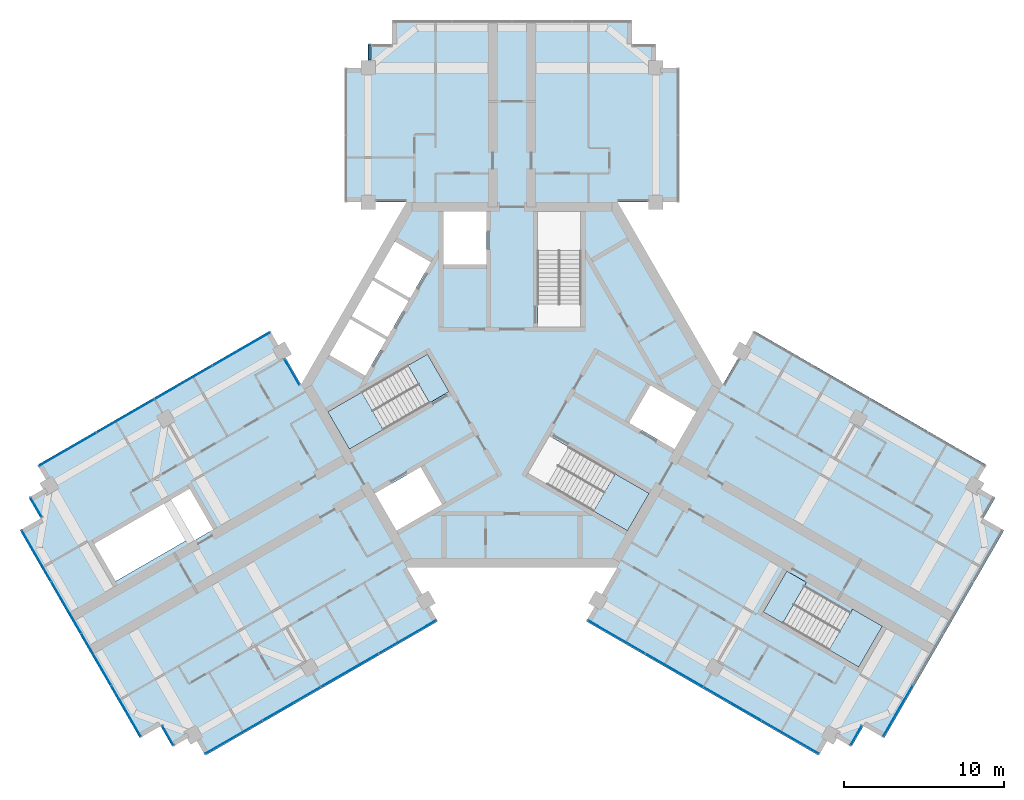
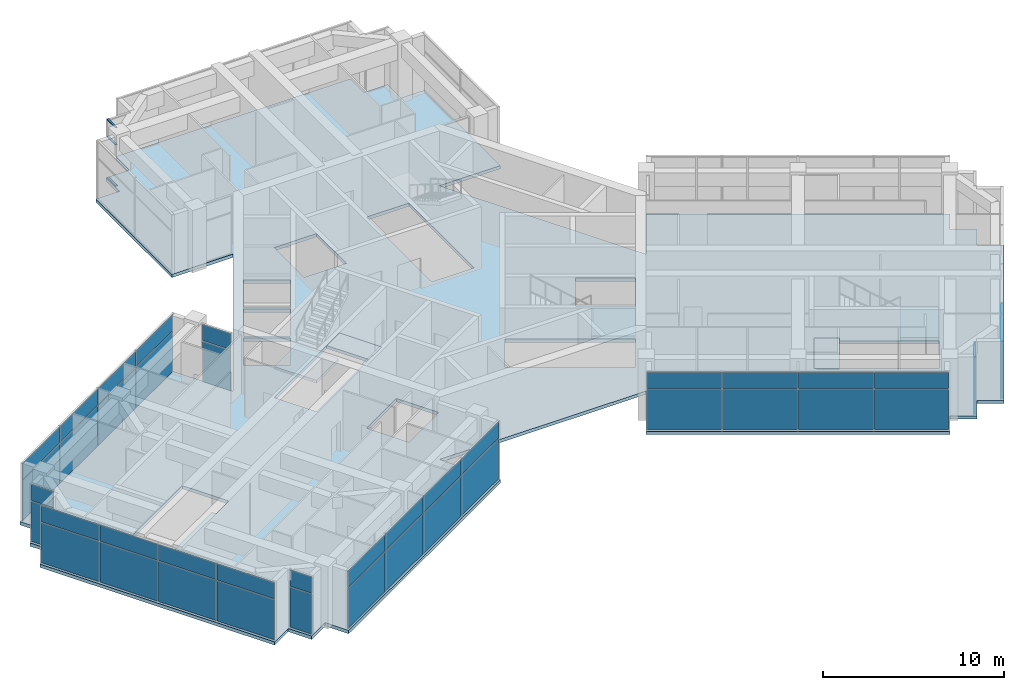
# One storey, part 7 of 14: 42 plates, 6 slabs, 3 members, 13 elements without a shape of their own.
"""IFC4 building model written with IfcOpenShell, lengths in metres."""

from ifc_helpers import new_model, si_unit, direction, frame, origin, origin_2d, place, context, subcontext, project, spatial, polyline, rectangle, outline, extrude, material, layer, layer_set, material_profile, profile_set, type_object, element, aggregate, save


model = new_model("IFC4")

# Units and contexts
model_context = context("Model", 3, precision=1e-05, world=origin(), true_north=direction((0.0, 1.0)))
body_context = subcontext(model_context, "Body", "Model", "MODEL_VIEW")
ifc_project = project(units=[si_unit("LENGTHUNIT", "METRE"), si_unit("AREAUNIT", "SQUARE_METRE"), si_unit("VOLUMEUNIT", "CUBIC_METRE"), si_unit("PLANEANGLEUNIT", "RADIAN"), si_unit("MASSUNIT", "GRAM", prefix="KILO")], contexts=[model_context])

# Site, building, storey
site_placement = place(None, origin())
site = spatial("IfcSite", under=ifc_project, at=site_placement, CompositionType="ELEMENT")
building_placement = place(site_placement, origin())
building = spatial("IfcBuilding", under=site, at=building_placement, Name="Impinga Residences", CompositionType="ELEMENT")
storey_placement = place(building_placement, frame((0.0, 0.0, 278.949951171875)))
storey = spatial("IfcBuildingStorey", under=building, at=storey_placement, Name="L70", CompositionType="ELEMENT", Elevation=278.949951171875)

# Curtain wall, members
ifc_material_1 = material(Name="Aluminium stick curtain wall", Category="aluminium")
curtain_wall_type = type_object("IfcCurtainWallType", Name="CW3 penthouse curtain wall", PredefinedType="USERDEFINED", material=ifc_material_1)
curtain_wall_1_placement = place(storey_placement, origin())
curtain_wall_1 = element("IfcCurtainWall", 1, at=curtain_wall_1_placement, inside=storey, type_object=curtain_wall_type, Name="Curtain wall CW3 L70", ObjectType="STICK CURTAIN WALL", PredefinedType="USERDEFINED")
ifc_material_2 = material(Name="Aluminium transom", Category="aluminium")
ifc_material_profile = material_profile(ifc_material_2, rectangle(XDim=0.06005859375, YDim=0.1201171875, at=origin_2d()), Name="60x120 transom")
ifc_profile_set = profile_set([ifc_material_profile], Name="Aluminium transom")
member_type = type_object("IfcMemberType", Name="CW3-T transom 60x120", PredefinedType="USERDEFINED", material=ifc_profile_set)
member_1_placement = place(storey_placement, frame((-8.89990234375, 20.344482421875, 0.030029296875), z_axis=(0.0, 1.0, 0.0), x_axis=(0.0, 0.0, 1.0)))
member_1 = element("IfcMember", 2, at=member_1_placement, type_object=member_type, Name="CW3 transom 1.1", ObjectType="TRANSOM", PredefinedType="USERDEFINED", context=body_context, shape_type="SweptSolid", body=[
    extrude(rectangle(XDim=0.06005859375, YDim=0.1201171875, at=origin_2d()), origin(), (0.0, 0.0, 1.0), 0.927001953125),
])
member_2_placement = place(storey_placement, frame((-8.89990234375, 20.344482421875, 2.800048828125), z_axis=(0.0, 1.0, 0.0), x_axis=(0.0, 0.0, 1.0)))
member_2 = element("IfcMember", 3, at=member_2_placement, type_object=member_type, Name="CW3 transom 1.2", ObjectType="TRANSOM", PredefinedType="USERDEFINED", context=body_context, shape_type="SweptSolid", body=[
    extrude(rectangle(XDim=0.06005859375, YDim=0.1201171875, at=origin_2d()), origin(), (0.0, 0.0, 1.0), 0.927001953125),
])
member_3_placement = place(storey_placement, frame((-8.89990234375, 20.344482421875, 3.949951171875), z_axis=(0.0, 1.0, 0.0), x_axis=(0.0, 0.0, 1.0)))
member_3 = element("IfcMember", 4, at=member_3_placement, type_object=member_type, Name="CW3 transom 1.3", ObjectType="TRANSOM", PredefinedType="USERDEFINED", context=body_context, shape_type="SweptSolid", body=[
    extrude(rectangle(XDim=0.06005859375, YDim=0.1201171875, at=origin_2d()), origin(), (0.0, 0.0, 1.0), 0.927001953125),
])
aggregate(curtain_wall_1, [member_1, member_2, member_3])

# Curtain wall, plates
curtain_wall_2_placement = place(storey_placement, origin())
curtain_wall_2 = element("IfcCurtainWall", 5, at=curtain_wall_2_placement, inside=storey, type_object=curtain_wall_type, Name="Curtain wall CW3 L70", ObjectType="STICK CURTAIN WALL", PredefinedType="USERDEFINED")
ifc_material_3 = material(Name="Clear double glazing", Category="glass")
ifc_layer_1 = layer(ifc_material_3, 0.028076171875)
ifc_layer_set_1 = layer_set([ifc_layer_1], Name="CW3-P clear double glazed panel 28")
plate_type = type_object("IfcPlateType", Name="CW3-P clear double glazed panel 28", PredefinedType="CURTAIN_PANEL", material=ifc_layer_set_1)
plate_1_placement = place(storey_placement, frame((-21.53662109375, -21.96044921875, 0.06005859375), z_axis=(0.0, 0.0, 1.0), x_axis=(-0.500000030502, 0.866025386174, 0.0)))
plate_1 = element("IfcPlate", 6, at=plate_1_placement, type_object=plate_type, Name="CW3 panel 1.1", PredefinedType="CURTAIN_PANEL", context=body_context, shape_type="SweptSolid", body=[
    extrude(rectangle(XDim=1.3798828125, YDim=0.028076171875, at=origin_2d()), origin(), (0.0, 0.0, 1.0), 2.7099609375),
])
plate_2_placement = place(storey_placement, frame((-21.53662109375, -21.96044921875, 2.830078125), z_axis=(0.0, 0.0, 1.0), x_axis=(-0.500000030502, 0.866025386174, 0.0)))
plate_2 = element("IfcPlate", 7, at=plate_2_placement, type_object=plate_type, Name="CW3 panel 1.2", PredefinedType="CURTAIN_PANEL", context=body_context, shape_type="SweptSolid", body=[
    extrude(rectangle(XDim=1.3798828125, YDim=0.028076171875, at=origin_2d()), origin(), (0.0, 0.0, 1.0), 1.090087890625),
])
aggregate(curtain_wall_2, [plate_1, plate_2])

curtain_wall_3_placement = place(storey_placement, origin())
curtain_wall_3 = element("IfcCurtainWall", 8, at=curtain_wall_3_placement, inside=storey, type_object=curtain_wall_type, Name="Curtain wall CW3 L70", ObjectType="STICK CURTAIN WALL", PredefinedType="USERDEFINED")
plate_3_placement = place(storey_placement, frame((-24.15576171875, -20.424072265625, 0.06005859375), z_axis=(0.0, 0.0, 1.0), x_axis=(-0.500000001632, 0.866025402842, 0.0)))
plate_3 = element("IfcPlate", 9, at=plate_3_placement, type_object=plate_type, Name="CW3 panel 1.1", PredefinedType="CURTAIN_PANEL", context=body_context, shape_type="SweptSolid", body=[
    extrude(rectangle(XDim=3.659912109375, YDim=0.028076171875, at=origin_2d()), origin(), (0.0, 0.0, 1.0), 2.7099609375),
])
plate_4_placement = place(storey_placement, frame((-24.15576171875, -20.424072265625, 2.830078125), z_axis=(0.0, 0.0, 1.0), x_axis=(-0.500000001632, 0.866025402842, 0.0)))
plate_4 = element("IfcPlate", 10, at=plate_4_placement, type_object=plate_type, Name="CW3 panel 1.2", PredefinedType="CURTAIN_PANEL", context=body_context, shape_type="SweptSolid", body=[
    extrude(rectangle(XDim=3.659912109375, YDim=0.028076171875, at=origin_2d()), origin(), (0.0, 0.0, 1.0), 1.090087890625),
])
plate_5_placement = place(storey_placement, frame((-26.023193359375, -17.189453125, 0.06005859375), z_axis=(0.0, 0.0, 1.0), x_axis=(-0.500000001632, 0.866025402842, 0.0)))
plate_5 = element("IfcPlate", 11, at=plate_5_placement, type_object=plate_type, Name="CW3 panel 2.1", PredefinedType="CURTAIN_PANEL", context=body_context, shape_type="SweptSolid", body=[
    extrude(rectangle(XDim=3.68994140625, YDim=0.028076171875, at=origin_2d()), origin(), (0.0, 0.0, 1.0), 2.7099609375),
])
plate_6_placement = place(storey_placement, frame((-26.023193359375, -17.189453125, 2.830078125), z_axis=(0.0, 0.0, 1.0), x_axis=(-0.500000001632, 0.866025402842, 0.0)))
plate_6 = element("IfcPlate", 12, at=plate_6_placement, type_object=plate_type, Name="CW3 panel 2.2", PredefinedType="CURTAIN_PANEL", context=body_context, shape_type="SweptSolid", body=[
    extrude(rectangle(XDim=3.68994140625, YDim=0.028076171875, at=origin_2d()), origin(), (0.0, 0.0, 1.0), 1.090087890625),
])
plate_7_placement = place(storey_placement, frame((-27.898193359375, -13.94189453125, 0.06005859375), z_axis=(0.0, 0.0, 1.0), x_axis=(-0.500000001632, 0.866025402842, 0.0)))
plate_7 = element("IfcPlate", 13, at=plate_7_placement, type_object=plate_type, Name="CW3 panel 3.1", PredefinedType="CURTAIN_PANEL", context=body_context, shape_type="SweptSolid", body=[
    extrude(rectangle(XDim=3.68994140625, YDim=0.028076171875, at=origin_2d()), origin(), (0.0, 0.0, 1.0), 2.7099609375),
])
plate_8_placement = place(storey_placement, frame((-27.898193359375, -13.94189453125, 2.830078125), z_axis=(0.0, 0.0, 1.0), x_axis=(-0.500000001632, 0.866025402842, 0.0)))
plate_8 = element("IfcPlate", 14, at=plate_8_placement, type_object=plate_type, Name="CW3 panel 3.2", PredefinedType="CURTAIN_PANEL", context=body_context, shape_type="SweptSolid", body=[
    extrude(rectangle(XDim=3.68994140625, YDim=0.028076171875, at=origin_2d()), origin(), (0.0, 0.0, 1.0), 1.090087890625),
])
plate_9_placement = place(storey_placement, frame((-29.765625, -10.707275390625, 0.06005859375), z_axis=(0.0, 0.0, 1.0), x_axis=(-0.500000001632, 0.866025402842, 0.0)))
plate_9 = element("IfcPlate", 15, at=plate_9_placement, type_object=plate_type, Name="CW3 panel 4.1", PredefinedType="CURTAIN_PANEL", context=body_context, shape_type="SweptSolid", body=[
    extrude(rectangle(XDim=3.659912109375, YDim=0.028076171875, at=origin_2d()), origin(), (0.0, 0.0, 1.0), 2.7099609375),
])
plate_10_placement = place(storey_placement, frame((-29.765625, -10.707275390625, 2.830078125), z_axis=(0.0, 0.0, 1.0), x_axis=(-0.500000001632, 0.866025402842, 0.0)))
plate_10 = element("IfcPlate", 16, at=plate_10_placement, type_object=plate_type, Name="CW3 panel 4.2", PredefinedType="CURTAIN_PANEL", context=body_context, shape_type="SweptSolid", body=[
    extrude(rectangle(XDim=3.659912109375, YDim=0.028076171875, at=origin_2d()), origin(), (0.0, 0.0, 1.0), 1.090087890625),
])
aggregate(curtain_wall_3, [plate_3, plate_4, plate_5, plate_6, plate_7, plate_8, plate_9, plate_10])

curtain_wall_4_placement = place(storey_placement, origin())
curtain_wall_4 = element("IfcCurtainWall", 17, at=curtain_wall_4_placement, inside=storey, type_object=curtain_wall_type, Name="Curtain wall CW3 L70", ObjectType="STICK CURTAIN WALL", PredefinedType="USERDEFINED")
plate_11_placement = place(storey_placement, frame((-29.78662109375, -7.671142578125, 0.06005859375), z_axis=(0.0, 0.0, 1.0), x_axis=(-0.500000030502, 0.866025386174, 0.0)))
plate_11 = element("IfcPlate", 18, at=plate_11_placement, type_object=plate_type, Name="CW3 panel 1.1", PredefinedType="CURTAIN_PANEL", context=body_context, shape_type="SweptSolid", body=[
    extrude(rectangle(XDim=1.3798828125, YDim=0.028076171875, at=origin_2d()), origin(), (0.0, 0.0, 1.0), 2.7099609375),
])
plate_12_placement = place(storey_placement, frame((-29.78662109375, -7.671142578125, 2.830078125), z_axis=(0.0, 0.0, 1.0), x_axis=(-0.500000030502, 0.866025386174, 0.0)))
plate_12 = element("IfcPlate", 19, at=plate_12_placement, type_object=plate_type, Name="CW3 panel 1.2", PredefinedType="CURTAIN_PANEL", context=body_context, shape_type="SweptSolid", body=[
    extrude(rectangle(XDim=1.3798828125, YDim=0.028076171875, at=origin_2d()), origin(), (0.0, 0.0, 1.0), 1.090087890625),
])
aggregate(curtain_wall_4, [plate_11, plate_12])

curtain_wall_5_placement = place(storey_placement, origin())
curtain_wall_5 = element("IfcCurtainWall", 20, at=curtain_wall_5_placement, inside=storey, type_object=curtain_wall_type, Name="Curtain wall CW3 L70", ObjectType="STICK CURTAIN WALL", PredefinedType="USERDEFINED")
plate_13_placement = place(storey_placement, frame((-27.817626953125, -4.051513671875, 0.06005859375), z_axis=(0.0, 0.0, 1.0), x_axis=(0.866025407005, 0.499999994423, 0.0)))
plate_13 = element("IfcPlate", 21, at=plate_13_placement, type_object=plate_type, Name="CW3 panel 1.1", PredefinedType="CURTAIN_PANEL", context=body_context, shape_type="SweptSolid", body=[
    extrude(rectangle(XDim=4.110107421875, YDim=0.028076171875, at=origin_2d()), origin(), (0.0, 0.0, 1.0), 2.7099609375),
])
plate_14_placement = place(storey_placement, frame((-27.817626953125, -4.051513671875, 2.830078125), z_axis=(0.0, 0.0, 1.0), x_axis=(0.866025407005, 0.499999994423, 0.0)))
plate_14 = element("IfcPlate", 22, at=plate_14_placement, type_object=plate_type, Name="CW3 panel 1.2", PredefinedType="CURTAIN_PANEL", context=body_context, shape_type="SweptSolid", body=[
    extrude(rectangle(XDim=4.110107421875, YDim=0.028076171875, at=origin_2d()), origin(), (0.0, 0.0, 1.0), 1.090087890625),
])
plate_15_placement = place(storey_placement, frame((-24.193359375, -1.958984375, 0.06005859375), z_axis=(0.0, 0.0, 1.0), x_axis=(0.866025407005, 0.499999994423, 0.0)))
plate_15 = element("IfcPlate", 23, at=plate_15_placement, type_object=plate_type, Name="CW3 panel 2.1", PredefinedType="CURTAIN_PANEL", context=body_context, shape_type="SweptSolid", body=[
    extrude(rectangle(XDim=4.139892578125, YDim=0.028076171875, at=origin_2d()), origin(), (0.0, 0.0, 1.0), 2.7099609375),
])
plate_16_placement = place(storey_placement, frame((-24.193359375, -1.958984375, 2.830078125), z_axis=(0.0, 0.0, 1.0), x_axis=(0.866025407005, 0.499999994423, 0.0)))
plate_16 = element("IfcPlate", 24, at=plate_16_placement, type_object=plate_type, Name="CW3 panel 2.2", PredefinedType="CURTAIN_PANEL", context=body_context, shape_type="SweptSolid", body=[
    extrude(rectangle(XDim=4.139892578125, YDim=0.028076171875, at=origin_2d()), origin(), (0.0, 0.0, 1.0), 1.090087890625),
])
plate_17_placement = place(storey_placement, frame((-20.555908203125, 0.140869140625, 0.06005859375), z_axis=(0.0, 0.0, 1.0), x_axis=(0.866025407005, 0.499999994423, 0.0)))
plate_17 = element("IfcPlate", 25, at=plate_17_placement, type_object=plate_type, Name="CW3 panel 3.1", PredefinedType="CURTAIN_PANEL", context=body_context, shape_type="SweptSolid", body=[
    extrude(rectangle(XDim=4.139892578125, YDim=0.028076171875, at=origin_2d()), origin(), (0.0, 0.0, 1.0), 2.7099609375),
])
plate_18_placement = place(storey_placement, frame((-20.555908203125, 0.140869140625, 2.830078125), z_axis=(0.0, 0.0, 1.0), x_axis=(0.866025407005, 0.499999994423, 0.0)))
plate_18 = element("IfcPlate", 26, at=plate_18_placement, type_object=plate_type, Name="CW3 panel 3.2", PredefinedType="CURTAIN_PANEL", context=body_context, shape_type="SweptSolid", body=[
    extrude(rectangle(XDim=4.139892578125, YDim=0.028076171875, at=origin_2d()), origin(), (0.0, 0.0, 1.0), 1.090087890625),
])
plate_19_placement = place(storey_placement, frame((-16.931640625, 2.2333984375, 0.06005859375), z_axis=(0.0, 0.0, 1.0), x_axis=(0.866025407005, 0.499999994423, 0.0)))
plate_19 = element("IfcPlate", 27, at=plate_19_placement, type_object=plate_type, Name="CW3 panel 4.1", PredefinedType="CURTAIN_PANEL", context=body_context, shape_type="SweptSolid", body=[
    extrude(rectangle(XDim=4.110107421875, YDim=0.028076171875, at=origin_2d()), origin(), (0.0, 0.0, 1.0), 2.7099609375),
])
plate_20_placement = place(storey_placement, frame((-16.931640625, 2.2333984375, 2.830078125), z_axis=(0.0, 0.0, 1.0), x_axis=(0.866025407005, 0.499999994423, 0.0)))
plate_20 = element("IfcPlate", 28, at=plate_20_placement, type_object=plate_type, Name="CW3 panel 4.2", PredefinedType="CURTAIN_PANEL", context=body_context, shape_type="SweptSolid", body=[
    extrude(rectangle(XDim=4.110107421875, YDim=0.028076171875, at=origin_2d()), origin(), (0.0, 0.0, 1.0), 1.090087890625),
])
aggregate(curtain_wall_5, [plate_13, plate_14, plate_15, plate_16, plate_17, plate_18, plate_19, plate_20])

curtain_wall_6_placement = place(storey_placement, origin())
curtain_wall_6 = element("IfcCurtainWall", 29, at=curtain_wall_6_placement, inside=storey, type_object=curtain_wall_type, Name="Curtain wall CW3 L70", ObjectType="STICK CURTAIN WALL", PredefinedType="USERDEFINED")
plate_21_placement = place(storey_placement, frame((-13.7734375, 0.79296875, 0.06005859375), z_axis=(0.0, 0.0, 1.0), x_axis=(0.50000010257, -0.866025344565, 0.0)))
plate_21 = element("IfcPlate", 30, at=plate_21_placement, type_object=plate_type, Name="CW3 panel 1.1", PredefinedType="CURTAIN_PANEL", context=body_context, shape_type="SweptSolid", body=[
    extrude(rectangle(XDim=1.826904296875, YDim=0.028076171875, at=origin_2d()), origin(), (0.0, 0.0, 1.0), 2.7099609375),
])
plate_22_placement = place(storey_placement, frame((-13.7734375, 0.79296875, 2.830078125), z_axis=(0.0, 0.0, 1.0), x_axis=(0.50000010257, -0.866025344565, 0.0)))
plate_22 = element("IfcPlate", 31, at=plate_22_placement, type_object=plate_type, Name="CW3 panel 1.2", PredefinedType="CURTAIN_PANEL", context=body_context, shape_type="SweptSolid", body=[
    extrude(rectangle(XDim=1.826904296875, YDim=0.028076171875, at=origin_2d()), origin(), (0.0, 0.0, 1.0), 1.090087890625),
])
aggregate(curtain_wall_6, [plate_21, plate_22])

curtain_wall_7_placement = place(storey_placement, origin())
curtain_wall_7 = element("IfcCurtainWall", 32, at=curtain_wall_7_placement, inside=storey, type_object=curtain_wall_type, Name="Curtain wall CW3 L70", ObjectType="STICK CURTAIN WALL", PredefinedType="USERDEFINED")
plate_23_placement = place(storey_placement, frame((24.15576171875, -20.424072265625, 0.06005859375), z_axis=(0.0, 0.0, 1.0), x_axis=(-0.500000001632, -0.866025402842, 0.0)))
plate_23 = element("IfcPlate", 33, at=plate_23_placement, type_object=plate_type, Name="CW3 panel 4.1", PredefinedType="CURTAIN_PANEL", context=body_context, shape_type="SweptSolid", body=[
    extrude(rectangle(XDim=3.659912109375, YDim=0.028076171875, at=origin_2d()), origin(), (0.0, 0.0, 1.0), 2.7099609375),
])
plate_24_placement = place(storey_placement, frame((24.15576171875, -20.424072265625, 2.830078125), z_axis=(0.0, 0.0, 1.0), x_axis=(-0.500000001632, -0.866025402842, 0.0)))
plate_24 = element("IfcPlate", 34, at=plate_24_placement, type_object=plate_type, Name="CW3 panel 4.2", PredefinedType="CURTAIN_PANEL", context=body_context, shape_type="SweptSolid", body=[
    extrude(rectangle(XDim=3.659912109375, YDim=0.028076171875, at=origin_2d()), origin(), (0.0, 0.0, 1.0), 1.090087890625),
])
aggregate(curtain_wall_7, [plate_23, plate_24])

curtain_wall_8_placement = place(storey_placement, origin())
curtain_wall_8 = element("IfcCurtainWall", 35, at=curtain_wall_8_placement, inside=storey, type_object=curtain_wall_type, Name="Curtain wall CW3 L70", ObjectType="STICK CURTAIN WALL", PredefinedType="USERDEFINED")
plate_25_placement = place(storey_placement, frame((21.53662109375, -21.96044921875, 0.06005859375), z_axis=(0.0, 0.0, 1.0), x_axis=(-0.500000030502, -0.866025386174, 0.0)))
plate_25 = element("IfcPlate", 36, at=plate_25_placement, type_object=plate_type, Name="CW3 panel 1.1", PredefinedType="CURTAIN_PANEL", context=body_context, shape_type="SweptSolid", body=[
    extrude(rectangle(XDim=1.3798828125, YDim=0.028076171875, at=origin_2d()), origin(), (0.0, 0.0, 1.0), 2.7099609375),
])
plate_26_placement = place(storey_placement, frame((21.53662109375, -21.96044921875, 2.830078125), z_axis=(0.0, 0.0, 1.0), x_axis=(-0.500000030502, -0.866025386174, 0.0)))
plate_26 = element("IfcPlate", 37, at=plate_26_placement, type_object=plate_type, Name="CW3 panel 1.2", PredefinedType="CURTAIN_PANEL", context=body_context, shape_type="SweptSolid", body=[
    extrude(rectangle(XDim=1.3798828125, YDim=0.028076171875, at=origin_2d()), origin(), (0.0, 0.0, 1.0), 1.090087890625),
])
aggregate(curtain_wall_8, [plate_25, plate_26])

curtain_wall_9_placement = place(storey_placement, origin())
curtain_wall_9 = element("IfcCurtainWall", 38, at=curtain_wall_9_placement, inside=storey, type_object=curtain_wall_type, Name="Curtain wall CW3 L70", ObjectType="STICK CURTAIN WALL", PredefinedType="USERDEFINED")
plate_27_placement = place(storey_placement, frame((17.41748046875, -22.06494140625, 0.06005859375), z_axis=(0.0, 0.0, 1.0), x_axis=(-0.866025407005, 0.499999994423, 0.0)))
plate_27 = element("IfcPlate", 39, at=plate_27_placement, type_object=plate_type, Name="CW3 panel 1.1", PredefinedType="CURTAIN_PANEL", context=body_context, shape_type="SweptSolid", body=[
    extrude(rectangle(XDim=4.110107421875, YDim=0.028076171875, at=origin_2d()), origin(), (0.0, 0.0, 1.0), 2.7099609375),
])
plate_28_placement = place(storey_placement, frame((17.41748046875, -22.06494140625, 2.830078125), z_axis=(0.0, 0.0, 1.0), x_axis=(-0.866025407005, 0.499999994423, 0.0)))
plate_28 = element("IfcPlate", 40, at=plate_28_placement, type_object=plate_type, Name="CW3 panel 1.2", PredefinedType="CURTAIN_PANEL", context=body_context, shape_type="SweptSolid", body=[
    extrude(rectangle(XDim=4.110107421875, YDim=0.028076171875, at=origin_2d()), origin(), (0.0, 0.0, 1.0), 1.090087890625),
])
plate_29_placement = place(storey_placement, frame((13.793212890625, -19.972412109375, 0.06005859375), z_axis=(0.0, 0.0, 1.0), x_axis=(-0.866025407005, 0.499999994423, 0.0)))
plate_29 = element("IfcPlate", 41, at=plate_29_placement, type_object=plate_type, Name="CW3 panel 2.1", PredefinedType="CURTAIN_PANEL", context=body_context, shape_type="SweptSolid", body=[
    extrude(rectangle(XDim=4.139892578125, YDim=0.028076171875, at=origin_2d()), origin(), (0.0, 0.0, 1.0), 2.7099609375),
])
plate_30_placement = place(storey_placement, frame((13.793212890625, -19.972412109375, 2.830078125), z_axis=(0.0, 0.0, 1.0), x_axis=(-0.866025407005, 0.499999994423, 0.0)))
plate_30 = element("IfcPlate", 42, at=plate_30_placement, type_object=plate_type, Name="CW3 panel 2.2", PredefinedType="CURTAIN_PANEL", context=body_context, shape_type="SweptSolid", body=[
    extrude(rectangle(XDim=4.139892578125, YDim=0.028076171875, at=origin_2d()), origin(), (0.0, 0.0, 1.0), 1.090087890625),
])
plate_31_placement = place(storey_placement, frame((10.156005859375, -17.872314453125, 0.06005859375), z_axis=(0.0, 0.0, 1.0), x_axis=(-0.866025407005, 0.499999994423, 0.0)))
plate_31 = element("IfcPlate", 43, at=plate_31_placement, type_object=plate_type, Name="CW3 panel 3.1", PredefinedType="CURTAIN_PANEL", context=body_context, shape_type="SweptSolid", body=[
    extrude(rectangle(XDim=4.139892578125, YDim=0.028076171875, at=origin_2d()), origin(), (0.0, 0.0, 1.0), 2.7099609375),
])
plate_32_placement = place(storey_placement, frame((10.156005859375, -17.872314453125, 2.830078125), z_axis=(0.0, 0.0, 1.0), x_axis=(-0.866025407005, 0.499999994423, 0.0)))
plate_32 = element("IfcPlate", 44, at=plate_32_placement, type_object=plate_type, Name="CW3 panel 3.2", PredefinedType="CURTAIN_PANEL", context=body_context, shape_type="SweptSolid", body=[
    extrude(rectangle(XDim=4.139892578125, YDim=0.028076171875, at=origin_2d()), origin(), (0.0, 0.0, 1.0), 1.090087890625),
])
plate_33_placement = place(storey_placement, frame((6.53173828125, -15.780029296875, 0.06005859375), z_axis=(0.0, 0.0, 1.0), x_axis=(-0.866025407005, 0.499999994423, 0.0)))
plate_33 = element("IfcPlate", 45, at=plate_33_placement, type_object=plate_type, Name="CW3 panel 4.1", PredefinedType="CURTAIN_PANEL", context=body_context, shape_type="SweptSolid", body=[
    extrude(rectangle(XDim=4.110107421875, YDim=0.028076171875, at=origin_2d()), origin(), (0.0, 0.0, 1.0), 2.7099609375),
])
plate_34_placement = place(storey_placement, frame((6.53173828125, -15.780029296875, 2.830078125), z_axis=(0.0, 0.0, 1.0), x_axis=(-0.866025407005, 0.499999994423, 0.0)))
plate_34 = element("IfcPlate", 46, at=plate_34_placement, type_object=plate_type, Name="CW3 panel 4.2", PredefinedType="CURTAIN_PANEL", context=body_context, shape_type="SweptSolid", body=[
    extrude(rectangle(XDim=4.110107421875, YDim=0.028076171875, at=origin_2d()), origin(), (0.0, 0.0, 1.0), 1.090087890625),
])
aggregate(curtain_wall_9, [plate_27, plate_28, plate_29, plate_30, plate_31, plate_32, plate_33, plate_34])

curtain_wall_10_placement = place(storey_placement, origin())
curtain_wall_10 = element("IfcCurtainWall", 47, at=curtain_wall_10_placement, inside=storey, type_object=curtain_wall_type, Name="Curtain wall CW3 L70", ObjectType="STICK CURTAIN WALL", PredefinedType="USERDEFINED")
plate_35_placement = place(storey_placement, frame((-6.53173828125, -15.780029296875, 0.06005859375), z_axis=(0.0, 0.0, 1.0), x_axis=(-0.866025407005, -0.499999994423, 0.0)))
plate_35 = element("IfcPlate", 48, at=plate_35_placement, type_object=plate_type, Name="CW3 panel 1.1", PredefinedType="CURTAIN_PANEL", context=body_context, shape_type="SweptSolid", body=[
    extrude(rectangle(XDim=4.110107421875, YDim=0.028076171875, at=origin_2d()), origin(), (0.0, 0.0, 1.0), 2.7099609375),
])
plate_36_placement = place(storey_placement, frame((-6.53173828125, -15.780029296875, 2.830078125), z_axis=(0.0, 0.0, 1.0), x_axis=(-0.866025407005, -0.499999994423, 0.0)))
plate_36 = element("IfcPlate", 49, at=plate_36_placement, type_object=plate_type, Name="CW3 panel 1.2", PredefinedType="CURTAIN_PANEL", context=body_context, shape_type="SweptSolid", body=[
    extrude(rectangle(XDim=4.110107421875, YDim=0.028076171875, at=origin_2d()), origin(), (0.0, 0.0, 1.0), 1.090087890625),
])
plate_37_placement = place(storey_placement, frame((-10.156005859375, -17.872314453125, 0.06005859375), z_axis=(0.0, 0.0, 1.0), x_axis=(-0.866025407005, -0.499999994423, 0.0)))
plate_37 = element("IfcPlate", 50, at=plate_37_placement, type_object=plate_type, Name="CW3 panel 2.1", PredefinedType="CURTAIN_PANEL", context=body_context, shape_type="SweptSolid", body=[
    extrude(rectangle(XDim=4.139892578125, YDim=0.028076171875, at=origin_2d()), origin(), (0.0, 0.0, 1.0), 2.7099609375),
])
plate_38_placement = place(storey_placement, frame((-10.156005859375, -17.872314453125, 2.830078125), z_axis=(0.0, 0.0, 1.0), x_axis=(-0.866025407005, -0.499999994423, 0.0)))
plate_38 = element("IfcPlate", 51, at=plate_38_placement, type_object=plate_type, Name="CW3 panel 2.2", PredefinedType="CURTAIN_PANEL", context=body_context, shape_type="SweptSolid", body=[
    extrude(rectangle(XDim=4.139892578125, YDim=0.028076171875, at=origin_2d()), origin(), (0.0, 0.0, 1.0), 1.090087890625),
])
plate_39_placement = place(storey_placement, frame((-13.793212890625, -19.972412109375, 0.06005859375), z_axis=(0.0, 0.0, 1.0), x_axis=(-0.866025407005, -0.499999994423, 0.0)))
plate_39 = element("IfcPlate", 52, at=plate_39_placement, type_object=plate_type, Name="CW3 panel 3.1", PredefinedType="CURTAIN_PANEL", context=body_context, shape_type="SweptSolid", body=[
    extrude(rectangle(XDim=4.139892578125, YDim=0.028076171875, at=origin_2d()), origin(), (0.0, 0.0, 1.0), 2.7099609375),
])
plate_40_placement = place(storey_placement, frame((-13.793212890625, -19.972412109375, 2.830078125), z_axis=(0.0, 0.0, 1.0), x_axis=(-0.866025407005, -0.499999994423, 0.0)))
plate_40 = element("IfcPlate", 53, at=plate_40_placement, type_object=plate_type, Name="CW3 panel 3.2", PredefinedType="CURTAIN_PANEL", context=body_context, shape_type="SweptSolid", body=[
    extrude(rectangle(XDim=4.139892578125, YDim=0.028076171875, at=origin_2d()), origin(), (0.0, 0.0, 1.0), 1.090087890625),
])
plate_41_placement = place(storey_placement, frame((-17.41748046875, -22.06494140625, 0.06005859375), z_axis=(0.0, 0.0, 1.0), x_axis=(-0.866025407005, -0.499999994423, 0.0)))
plate_41 = element("IfcPlate", 54, at=plate_41_placement, type_object=plate_type, Name="CW3 panel 4.1", PredefinedType="CURTAIN_PANEL", context=body_context, shape_type="SweptSolid", body=[
    extrude(rectangle(XDim=4.110107421875, YDim=0.028076171875, at=origin_2d()), origin(), (0.0, 0.0, 1.0), 2.7099609375),
])
plate_42_placement = place(storey_placement, frame((-17.41748046875, -22.06494140625, 2.830078125), z_axis=(0.0, 0.0, 1.0), x_axis=(-0.866025407005, -0.499999994423, 0.0)))
plate_42 = element("IfcPlate", 55, at=plate_42_placement, type_object=plate_type, Name="CW3 panel 4.2", PredefinedType="CURTAIN_PANEL", context=body_context, shape_type="SweptSolid", body=[
    extrude(rectangle(XDim=4.110107421875, YDim=0.028076171875, at=origin_2d()), origin(), (0.0, 0.0, 1.0), 1.090087890625),
])
aggregate(curtain_wall_10, [plate_35, plate_36, plate_37, plate_38, plate_39, plate_40, plate_41, plate_42])

# Slab
ifc_material_4 = material(Name="Concrete C60/75", Category="concrete")
ifc_layer_2 = layer(ifc_material_4, 0.219970703125)
ifc_layer_set_2 = layer_set([ifc_layer_2], Name="Concrete C60/75")
slab_type_1 = type_object("IfcSlabType", Name="FS1 tower floor slab 220", PredefinedType="FLOOR", material=ifc_layer_set_2)
slab_1_placement = place(storey_placement, frame((0.0, 0.0, -0.219970703125)))
element("IfcSlab", 56, at=slab_1_placement, inside=storey, type_object=slab_type_1, Name="Floor slab FS1 L70", PredefinedType="FLOOR", context=body_context, shape_type="SweptSolid", body=[
    extrude(outline(polyline([(-19.94921875, -21.909912109375), (-21.248291015625, -22.659912109375), (-21.998291015625, -21.36083984375), (-23.29736328125, -22.11083984375), (-30.79736328125, -9.12060546875), (-29.498291015625, -8.37060546875), (-30.248291015625, -7.071533203125), (-28.94921875, -6.321533203125), (-29.69921875, -5.0224609375), (-15.14990234375, 3.37744140625), (-13.199951171875, 0.0), (-6.60009765625, 11.431640625), (-10.5, 11.431640625), (-10.5, 19.83154296875), (-9.0, 19.83154296875), (-9.0, 21.33154296875), (-7.5, 21.33154296875), (-7.5, 22.83154296875), (7.5, 22.83154296875), (7.5, 21.33154296875), (9.0, 21.33154296875), (9.0, 19.83154296875), (10.5, 19.83154296875), (10.5, 11.431640625), (6.60009765625, 11.431640625), (13.199951171875, 0.0), (15.14990234375, 3.37744140625), (29.69921875, -5.0224609375), (28.94921875, -6.321533203125), (30.248291015625, -7.071533203125), (29.498291015625, -8.37060546875), (30.79736328125, -9.12060546875), (23.29736328125, -22.11083984375), (21.998291015625, -21.36083984375), (21.248291015625, -22.659912109375), (19.94921875, -21.909912109375), (19.19921875, -23.208984375), (4.64990234375, -14.80908203125), (9.900146484375, -5.7158203125), (6.60009765625, -11.431640625), (-6.60009765625, -11.431640625), (-9.900146484375, -5.7158203125), (-4.64990234375, -14.80908203125), (-19.19921875, -23.208984375), (-19.94921875, -21.909912109375)]), holes=[polyline([(-18.8291015625, -8.850341796875), (-18.8291015625, -8.850341796875), (-20.178955078125, -6.511962890625), (-21.391357421875, -7.2119140625), (-21.391357421875, -7.2119140625), (-26.154541015625, -9.9619140625), (-24.8046875, -12.30029296875), (-20.04150390625, -9.55029296875), (-19.91650390625, -9.766845703125), (-18.7041015625, -9.066650390625), (-18.8291015625, -8.850341796875)]), polyline([(-5.72119140625, -5.150634765625), (-8.580322265625, -6.801513671875), (-7.23046875, -9.1396484375), (-4.37109375, -7.489013671875), (-5.72119140625, -5.150634765625)]), polyline([(-5.293701171875, 1.908935546875), (-11.5302734375, -1.69189453125), (-10.180419921875, -4.030029296875), (-3.943603515625, -0.429443359375), (-5.293701171875, 1.908935546875)]), polyline([(-7.878662109375, 2.816650390625), (-10.13037109375, 4.11669921875), (-11.430419921875, 1.864990234375), (-9.1787109375, 0.56494140625), (-7.878662109375, 2.816650390625)]), polyline([(-6.478759765625, 5.24169921875), (-8.73046875, 6.54150390625), (-10.0302734375, 4.2900390625), (-7.77880859375, 2.989990234375), (-6.478759765625, 5.24169921875)]), polyline([(-5.07861328125, 7.66650390625), (-7.330322265625, 8.966552734375), (-8.63037109375, 6.71484375), (-6.378662109375, 5.414794921875), (-5.07861328125, 7.66650390625)]), polyline([(15.72900390625, -14.219482421875), (21.70458984375, -17.669677734375), (23.0546875, -15.331298828125), (18.29150390625, -12.581298828125), (18.41650390625, -12.36474609375), (17.2041015625, -11.664794921875), (15.72900390625, -14.219482421875)]), polyline([(0.99365234375, -5.538818359375), (7.23046875, -9.1396484375), (8.580322265625, -6.801513671875), (2.34375, -3.20068359375), (0.99365234375, -5.538818359375)]), polyline([(7.3212890625, -2.37939453125), (10.180419921875, -4.030029296875), (11.5302734375, -1.69189453125), (8.671142578125, -0.041015625), (7.3212890625, -2.37939453125)]), polyline([(4.300048828125, 3.6298828125), (4.300048828125, 10.83154296875), (1.60009765625, 10.83154296875), (1.60009765625, 3.6298828125), (4.300048828125, 3.6298828125)]), polyline([(-1.60009765625, 7.530029296875), (-1.60009765625, 10.83154296875), (-4.300048828125, 10.83154296875), (-4.300048828125, 7.530029296875), (-1.60009765625, 7.530029296875)])]), origin(), (0.0, 0.0, 1.0), 0.219970703125),
])

# Stair, slabs
ifc_material_5 = material(Name="Concrete C40/50", Category="concrete")
stair_type_1 = type_object("IfcStairType", Name="STR core stair 4200 storey, 26 risers", PredefinedType="HALF_TURN_STAIR", material=ifc_material_5)
stair_1_placement = place(storey_placement, origin())
stair_1 = element("IfcStair", 57, at=stair_1_placement, inside=storey, type_object=stair_type_1, Name="Stair ST2 L70", PredefinedType="HALF_TURN_STAIR")
ifc_layer_3 = layer(ifc_material_5, 0.199951171875)
ifc_layer_set_3 = layer_set([ifc_layer_3], Name="Concrete C40/50")
slab_type_2 = type_object("IfcSlabType", Name="LS1 stair landing 200", PredefinedType="LANDING", material=ifc_layer_set_3)
slab_2_placement = place(storey_placement, frame((0.0, 0.0, -0.199951171875)))
slab_2 = element("IfcSlab", 58, at=slab_2_placement, type_object=slab_type_2, Name="ST2 landing 1", PredefinedType="LANDING", context=body_context, shape_type="SweptSolid", body=[
    extrude(outline(polyline([(-3.943603515625, -0.429443359375), (-5.293701171875, 1.908935546875), (-6.5146484375, 1.203857421875), (-5.164794921875, -1.13427734375), (-3.943603515625, -0.429443359375)])), origin(), (0.0, 0.0, 1.0), 0.199951171875),
])
slab_3_placement = place(storey_placement, frame((0.0, 0.0, 1.900146484375)))
slab_3 = element("IfcSlab", 59, at=slab_3_placement, type_object=slab_type_2, Name="ST2 landing 2", PredefinedType="LANDING", context=body_context, shape_type="SweptSolid", body=[
    extrude(outline(polyline([(-8.057373046875, -2.804443359375), (-9.4072265625, -0.466064453125), (-11.5302734375, -1.69189453125), (-10.180419921875, -4.030029296875), (-8.057373046875, -2.804443359375)])), origin(), (0.0, 0.0, 1.0), 0.199951171875),
])
aggregate(stair_1, [slab_2, slab_3])

# Stair, slab
stair_2_placement = place(storey_placement, origin())
stair_2 = element("IfcStair", 60, at=stair_2_placement, inside=storey, type_object=stair_type_1, Name="Stair ST3 L70", PredefinedType="HALF_TURN_STAIR")
slab_4_placement = place(storey_placement, frame((0.0, 0.0, 1.900146484375)))
slab_4 = element("IfcSlab", 61, at=slab_4_placement, type_object=slab_type_2, Name="ST3 landing 2", PredefinedType="LANDING", context=body_context, shape_type="SweptSolid", body=[
    extrude(outline(polyline([(6.457275390625, -5.57568359375), (5.107177734375, -7.913818359375), (7.23046875, -9.1396484375), (8.580322265625, -6.801513671875), (6.457275390625, -5.57568359375)])), origin(), (0.0, 0.0, 1.0), 0.199951171875),
])
aggregate(stair_2, [slab_4])

# Stair, slabs
stair_type_2 = type_object("IfcStairType", Name="STR wing stair 4200 storey, 26 risers", PredefinedType="HALF_TURN_STAIR", material=ifc_material_5)
stair_3_placement = place(storey_placement, origin())
stair_3 = element("IfcStair", 62, at=stair_3_placement, inside=storey, type_object=stair_type_2, Name="Stair WS3 L70", PredefinedType="HALF_TURN_STAIR")
slab_5_placement = place(storey_placement, frame((0.0, 0.0, -0.199951171875)))
slab_5 = element("IfcSlab", 63, at=slab_5_placement, type_object=slab_type_2, Name="WS3 landing 1", PredefinedType="LANDING", context=body_context, shape_type="SweptSolid", body=[
    extrude(outline(polyline([(17.2041015625, -11.664794921875), (15.72900390625, -14.219482421875), (16.9501953125, -14.924560546875), (18.425048828125, -12.369873046875), (17.2041015625, -11.664794921875)])), origin(), (0.0, 0.0, 1.0), 0.199951171875),
])
slab_6_placement = place(storey_placement, frame((0.0, 0.0, 1.900146484375)))
slab_6 = element("IfcSlab", 64, at=slab_6_placement, type_object=slab_type_2, Name="WS3 landing 2", PredefinedType="LANDING", context=body_context, shape_type="SweptSolid", body=[
    extrude(outline(polyline([(21.317626953125, -14.039794921875), (19.8427734375, -16.594482421875), (21.70458984375, -17.669677734375), (23.1796875, -15.11474609375), (21.317626953125, -14.039794921875)])), origin(), (0.0, 0.0, 1.0), 0.199951171875),
])
aggregate(stair_3, [slab_5, slab_6])

save(model, "model.ifc")
